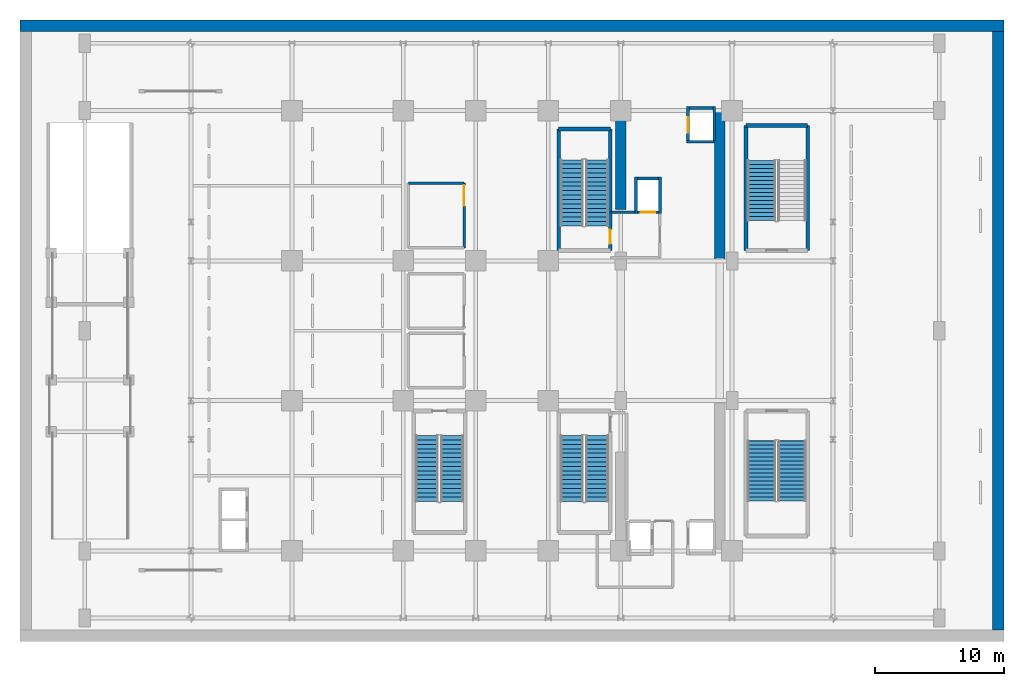
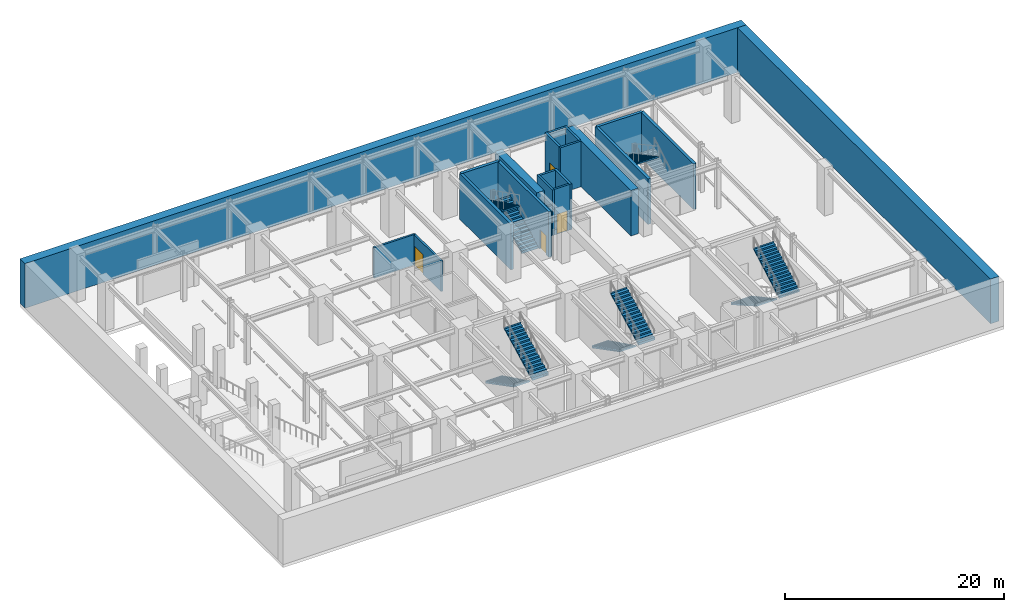
# One storey, part 7 of 10: 21 walls, 9 stair flights, 4 doors, 4 openings, 5 elements without a shape of their own.
"""IFC4 building model written with IfcOpenShell, lengths in metres."""

import ifcopenshell
import ifcopenshell.guid

model = None  # the IFC model being written
_history = None  # IfcOwnerHistory: only IFC2X3 demands one
_inside = {}  # id of a spatial element -> (the spatial element, [elements in it])
_under = {}  # id of a project, library or spatial element -> (it, [spatial elements below it])
_declared = {}  # id of a project -> (the project, [libraries it declares])
_typed = {}  # id of a type object -> (the type object, [elements of that type])
_made_of = {}  # id of a material, layer set ... -> (it, [elements and type objects made of it])


def new_model(schema):
    """Start an empty IFC model of exactly this schema.

    Asked for "IFC4X3", IfcOpenShell would pick the latest addendum, in which some entities
    have other attributes; the version numbers below select the first issue.
    IFC2X3 requires an IfcOwnerHistory on every rooted entity: one is made here for all.
    """
    global model, _history
    if schema == "IFC4X3":
        model = ifcopenshell.file(schema_version=(4, 3, 0, 0))
    else:
        model = ifcopenshell.file(schema=schema)
    _inside.clear()
    _under.clear()
    _declared.clear()
    _typed.clear()
    _made_of.clear()
    _history = None
    if model.schema == "IFC2X3":
        org = make("IfcOrganization", Name="unknown")
        user = make(
            "IfcPersonAndOrganization",
            ThePerson=make("IfcPerson", FamilyName="unknown"),
            TheOrganization=org,
        )
        app = make(
            "IfcApplication",
            ApplicationDeveloper=org,
            Version="unknown",
            ApplicationFullName="unknown",
            ApplicationIdentifier="unknown",
        )
        _history = make(
            "IfcOwnerHistory",
            OwningUser=user,
            OwningApplication=app,
            ChangeAction="ADDED",
            CreationDate=0,
        )
    return model


def make(cls, **values):
    """One entity of the class cls with the attributes given. An attribute that is None is left unset."""
    return model.create_entity(
        cls, **{name: value for name, value in values.items() if value is not None}
    )


def rooted(cls, **values):
    """An entity with a GlobalId (a new one), such as an element, a storey or a relation."""
    return make(cls, GlobalId=ifcopenshell.guid.new(), OwnerHistory=_history, **values)


def si_unit(unit_type, name, prefix=None):
    """IfcSIUnit, for example si_unit("LENGTHUNIT", "METRE", prefix="MILLI")."""
    return make("IfcSIUnit", UnitType=unit_type, Prefix=prefix, Name=name)


def assignment(units):
    """IfcUnitAssignment: the units of a project."""
    return None if units is None else make("IfcUnitAssignment", Units=units)


def point(xyz):
    """IfcCartesianPoint."""
    return None if xyz is None else make("IfcCartesianPoint", Coordinates=xyz)


def direction(xyz):
    """IfcDirection."""
    return None if xyz is None else make("IfcDirection", DirectionRatios=xyz)


def frame(location, z_axis=None, x_axis=None):
    """IfcAxis2Placement3D, a coordinate frame: its origin and axes. An axis left out is left unset."""
    return make(
        "IfcAxis2Placement3D",
        Location=point(location),
        Axis=direction(z_axis),
        RefDirection=direction(x_axis),
    )


def frame_2d(location, x_axis=None):
    """IfcAxis2Placement2D, a coordinate frame in the plane: its origin and x axis."""
    return make(
        "IfcAxis2Placement2D", Location=point(location), RefDirection=direction(x_axis)
    )


def origin():
    """The frame at (0, 0, 0) with its axes left unset."""
    return frame((0.0, 0.0, 0.0))


def place(relative_to, where):
    """IfcLocalPlacement: puts the frame where relative to a parent placement (None: the world)."""
    return make(
        "IfcLocalPlacement", PlacementRelTo=relative_to, RelativePlacement=where
    )


def context(
    kind, dimensions, precision=None, world=None, true_north=None, identifier=None
):
    """IfcGeometricRepresentationContext, for example the 3D "Model" context."""
    return make(
        "IfcGeometricRepresentationContext",
        ContextIdentifier=identifier,
        ContextType=kind,
        CoordinateSpaceDimension=dimensions,
        Precision=precision,
        WorldCoordinateSystem=world,
        TrueNorth=true_north,
    )


def subcontext(parent, identifier, kind, view, scale=None):
    """IfcGeometricRepresentationSubContext, for example "Body" below "Model"."""
    return make(
        "IfcGeometricRepresentationSubContext",
        ContextIdentifier=identifier,
        ContextType=kind,
        ParentContext=parent,
        TargetScale=scale,
        TargetView=view,
    )


def project(units=None, contexts=None):
    """IfcProject with its units and contexts."""
    return rooted(
        "IfcProject",
        Name="project",
        RepresentationContexts=contexts,
        UnitsInContext=assignment(units),
    )


def spatial(cls, under=None, at=None, **own):
    """A site, building, storey or space (cls), placed at a placement, below another one or the project."""
    s = rooted(cls, ObjectPlacement=at, **own)
    if under is not None:
        _under.setdefault(under.id(), (under, []))[1].append(s)
    return s


def polyline(points):
    """IfcPolyline through the points."""
    return make("IfcPolyline", Points=[point(p) for p in points])


def profile(cls, at=None, kind="AREA", **sizes):
    """A parametric profile (cls). Its sizes go by their IFC names, for example OverallWidth=200.0."""
    return make(cls, ProfileType=kind, Position=at, **sizes)


def rectangle(**sizes):
    """IfcRectangleProfileDef."""
    return profile("IfcRectangleProfileDef", **sizes)


def outline(outer, holes=None, kind="AREA"):
    """IfcArbitraryClosedProfileDef: a profile drawn as a closed curve; with holes, ...WithVoids."""
    if holes is None:
        return make("IfcArbitraryClosedProfileDef", ProfileType=kind, OuterCurve=outer)
    return make(
        "IfcArbitraryProfileDefWithVoids",
        ProfileType=kind,
        OuterCurve=outer,
        InnerCurves=holes,
    )


def extrude(swept, where, along, depth):
    """IfcExtrudedAreaSolid: the profile swept, set in the frame where, extruded along a direction by depth."""
    return make(
        "IfcExtrudedAreaSolid",
        SweptArea=swept,
        Position=where,
        ExtrudedDirection=direction(along),
        Depth=depth,
    )


def shape(context_of_items, identifier, shape_type, items):
    """IfcShapeRepresentation: the items that make up one representation, for example the "Body"."""
    return make(
        "IfcShapeRepresentation",
        ContextOfItems=context_of_items,
        RepresentationIdentifier=identifier,
        RepresentationType=shape_type,
        Items=items,
    )


def source(mapping_origin, context_of_items, identifier, shape_type, items):
    """IfcRepresentationMap: a shape defined once, which mapped items show again and again."""
    return make(
        "IfcRepresentationMap",
        MappingOrigin=mapping_origin,
        MappedRepresentation=shape(context_of_items, identifier, shape_type, items),
    )


def transform(
    local_origin,
    x_axis=None,
    y_axis=None,
    z_axis=None,
    scale=None,
    scale2=None,
    scale3=None,
    uniform=True,
):
    """IfcCartesianTransformationOperator3D, or its non-uniform kind. x_axis, y_axis, z_axis: its Axis1, 2, 3."""
    if uniform:
        return make(
            "IfcCartesianTransformationOperator3D",
            Axis1=direction(x_axis),
            Axis2=direction(y_axis),
            LocalOrigin=point(local_origin),
            Scale=scale,
            Axis3=direction(z_axis),
        )
    return make(
        "IfcCartesianTransformationOperator3DnonUniform",
        Axis1=direction(x_axis),
        Axis2=direction(y_axis),
        LocalOrigin=point(local_origin),
        Scale=scale,
        Axis3=direction(z_axis),
        Scale2=scale2,
        Scale3=scale3,
    )


def mapped(mapping_source, mapping_target):
    """IfcMappedItem: shows the shape of a source again, moved by a transform."""
    return make(
        "IfcMappedItem", MappingSource=mapping_source, MappingTarget=mapping_target
    )


def material(Name=None, Category=None):
    """IfcMaterial."""
    return make("IfcMaterial", Name=Name, Category=Category)


def layer(
    of_material, thickness, ventilated=None, Name=None, Category=None, Priority=None
):
    """IfcMaterialLayer: one layer of a wall or slab, of a material (None: an air gap)."""
    return make(
        "IfcMaterialLayer",
        Material=of_material,
        LayerThickness=thickness,
        IsVentilated=ventilated,
        Name=Name,
        Category=Category,
        Priority=Priority,
    )


def layer_set(layers, Name=None):
    """IfcMaterialLayerSet."""
    return make("IfcMaterialLayerSet", MaterialLayers=layers, LayerSetName=Name)


def made_of(thing, what):
    """Note that an element or type object is made of a material, layer set ...; save() writes the relation."""
    if what is not None:
        _made_of.setdefault(what.id(), (what, []))[1].append(thing)
    return thing


def type_object(cls, material=None, **own):
    """A type object (cls), such as IfcWallType, which elements share."""
    return made_of(rooted(cls, **own), material)


def element(
    cls,
    number,
    at=None,
    inside=None,
    cuts=None,
    type_object=None,
    material=None,
    context=None,
    identifier="Body",
    shape_type=None,
    held_by="IfcProductDefinitionShape",
    body=None,
    shapes=None,
    **own,
):
    """One element of the class cls, such as IfcWall. Its Tag is "e" and its number.

    at: its placement. inside: the storey or other place that contains it. cuts: it is an
    opening in that element (IfcRelVoidsElement). A single representation is given by context,
    identifier, shape_type and body (its items); several are given by shapes. held_by: the class
    of the entity that holds the representations. save() writes the other relations.
    """
    e = rooted(cls, Tag="e%d" % number, ObjectPlacement=at, **own)
    if body is not None:
        shapes = [shape(context, identifier, shape_type, body)]
    if shapes is not None:
        e.Representation = make(held_by, Representations=shapes)
    if inside is not None:
        _inside.setdefault(inside.id(), (inside, []))[1].append(e)
    if cuts is not None:
        rooted(
            "IfcRelVoidsElement", RelatingBuildingElement=cuts, RelatedOpeningElement=e
        )
    if type_object is not None:
        _typed.setdefault(type_object.id(), (type_object, []))[1].append(e)
    return made_of(e, material)


def fill(opening, filler):
    """IfcRelFillsElement: the door or window that sits in an opening."""
    return rooted(
        "IfcRelFillsElement",
        RelatingOpeningElement=opening,
        RelatedBuildingElement=filler,
    )


def aggregate(whole, parts):
    """IfcRelAggregates: a whole, such as a stair, and the parts it consists of."""
    return rooted("IfcRelAggregates", RelatingObject=whole, RelatedObjects=parts)


def save(model, path):
    """Write the relations noted so far, then the file.

    IfcRelAggregates (storeys below a building ...), IfcRelContainedInSpatialStructure (elements
    in a storey), IfcRelDefinesByType, IfcRelAssociatesMaterial and IfcRelDeclares: one each for
    every whole, place, type object, material and project.
    """
    for whole, parts in _under.values():
        aggregate(whole, parts)
    for where, things in _inside.values():
        rooted(
            "IfcRelContainedInSpatialStructure",
            RelatedElements=things,
            RelatingStructure=where,
        )
    for kind, things in _typed.values():
        rooted("IfcRelDefinesByType", RelatedObjects=things, RelatingType=kind)
    for what, things in _made_of.values():
        rooted("IfcRelAssociatesMaterial", RelatedObjects=things, RelatingMaterial=what)
    for by, libraries in _declared.values():
        rooted("IfcRelDeclares", RelatingContext=by, RelatedDefinitions=libraries)
    model.write(path)


model = new_model("IFC4")

# Units and contexts
model_context = context("Model", 3, precision=1e-05, world=origin(), true_north=direction((0.0, 1.0)))
body_context = subcontext(model_context, "Body", "Model", "MODEL_VIEW")
ifc_project = project(units=[si_unit("LENGTHUNIT", "METRE"), si_unit("AREAUNIT", "SQUARE_METRE"), si_unit("VOLUMEUNIT", "CUBIC_METRE"), si_unit("PLANEANGLEUNIT", "RADIAN"), si_unit("MASSUNIT", "GRAM", prefix="KILO")], contexts=[model_context])

# Site, building, storey
site_placement = place(None, origin())
site = spatial("IfcSite", under=ifc_project, at=site_placement, CompositionType="ELEMENT")
building_placement = place(site_placement, origin())
building = spatial("IfcBuilding", under=site, at=building_placement, Name="Nahalor Promenade Grand Hotel", CompositionType="ELEMENT")
storey_placement = place(building_placement, frame((0.0, 0.0, -5.39990234375)))
storey = spatial("IfcBuildingStorey", under=building, at=storey_placement, Name="B01", CompositionType="ELEMENT", Elevation=-5.39990234375)

# Walls
ifc_material_1 = material(Name="Concrete B-50 (C40/50)", Category="concrete")
ifc_layer_1 = layer(ifc_material_1, 0.89990234375)
ifc_layer_set_1 = layer_set([ifc_layer_1], Name="Concrete B-50 (C40/50)")
wall_type_1 = type_object("IfcWallType", Name="Wall-Diaphragm-900", PredefinedType="SHEAR", material=ifc_layer_set_1)
shared_shape_1 = source(origin(), body_context, "Body", "SweptSolid", [
    extrude(rectangle(XDim=76.0, YDim=0.89990234375, at=frame_2d((38.0, 0.0))), origin(), (0.0, 0.0, 1.0), 4.97998046875),
])
wall_1_placement = place(storey_placement, frame((-38.0, 23.550048828125, 0.0), z_axis=(0.0, 0.0, 1.0), x_axis=(1.0, 0.0, 0.0)))
element("IfcWall", 1, at=wall_1_placement, inside=storey, type_object=wall_type_1, Name="DW-B01-N", PredefinedType="SHEAR", context=body_context, shape_type="MappedRepresentation", body=[
    mapped(shared_shape_1, transform((0.0, 0.0, 0.0), scale=1.0)),
])
shared_shape_2 = source(origin(), body_context, "Body", "SweptSolid", [
    extrude(rectangle(XDim=46.2001953125, YDim=0.89990234375, at=frame_2d((23.10009765625, 0.0))), origin(), (0.0, 0.0, 1.0), 4.97998046875),
])
wall_2_placement = place(storey_placement, frame((37.550048828125, -23.10009765625, 0.0), z_axis=(0.0, 0.0, 1.0), x_axis=(0.0, 1.0, 0.0)))
element("IfcWall", 2, at=wall_2_placement, inside=storey, type_object=wall_type_1, Name="DW-B01-E", PredefinedType="SHEAR", context=body_context, shape_type="MappedRepresentation", body=[
    mapped(shared_shape_2, transform((0.0, 0.0, 0.0), scale=1.0)),
])
ifc_material_2 = material(Name="Concrete B-70 (C60/75)", Category="concrete")
ifc_layer_2 = layer(ifc_material_2, 0.800048828125)
ifc_layer_set_2 = layer_set([ifc_layer_2], Name="Concrete B-70 (C60/75)")
wall_type_2 = type_object("IfcWallType", Name="Wall-CoreShear-800", PredefinedType="SHEAR", material=ifc_layer_set_2)
shared_shape_3 = source(origin(), body_context, "Body", "SweptSolid", [
    extrude(rectangle(XDim=7.64990234375, YDim=0.800048828125, at=frame_2d((3.824951171875, 0.0))), origin(), (0.0, 0.0, 1.0), 5.079833984375),
])
wall_3_placement = place(storey_placement, frame((8.39990234375, 9.35009765625, 0.0), z_axis=(0.0, 0.0, 1.0), x_axis=(0.0, 1.0, 0.0)))
element("IfcWall", 3, at=wall_3_placement, inside=storey, type_object=wall_type_2, Name="CWALL-B01-NW", PredefinedType="SHEAR", context=body_context, shape_type="MappedRepresentation", body=[
    mapped(shared_shape_3, transform((0.0, 0.0, 0.0), scale=1.0)),
])
shared_shape_4 = source(origin(), body_context, "Body", "SweptSolid", [
    extrude(rectangle(XDim=11.60009765625, YDim=0.800048828125, at=frame_2d((5.800048828125, 0.0))), origin(), (0.0, 0.0, 1.0), 5.079833984375),
])
wall_4_placement = place(storey_placement, frame((16.050048828125, 5.39990234375, 0.0), z_axis=(0.0, 0.0, 1.0), x_axis=(0.0, 1.0, 0.0)))
element("IfcWall", 4, at=wall_4_placement, inside=storey, type_object=wall_type_2, Name="CWALL-B01-NE", PredefinedType="SHEAR", context=body_context, shape_type="MappedRepresentation", body=[
    mapped(shared_shape_4, transform((0.0, 0.0, 0.0), scale=1.0)),
])
ifc_layer_3 = layer(ifc_material_1, 0.300048828125)
ifc_layer_set_3 = layer_set([ifc_layer_3], Name="Concrete B-50 (C40/50)")
wall_type_3 = type_object("IfcWallType", Name="Wall-ShaftShear-300", PredefinedType="SHEAR", material=ifc_layer_set_3)
shared_shape_5 = source(origin(), body_context, "Body", "SweptSolid", [
    extrude(rectangle(XDim=3.97998046875, YDim=0.300048828125, at=frame_2d((1.989990234375, 0.0))), origin(), (0.0, 0.0, 1.0), 5.079833984375),
])
wall_5_placement = place(storey_placement, frame((3.610107421875, 15.590087890625, 0.0), z_axis=(0.0, 0.0, 1.0), x_axis=(1.0, 0.0, 0.0)))
element("IfcWall", 5, at=wall_5_placement, inside=storey, type_object=wall_type_3, Name="B01 Exit Stair ST1 Shaft Wall N", PredefinedType="SHEAR", context=body_context, shape_type="MappedRepresentation", body=[
    mapped(shared_shape_5, transform((0.0, 0.0, 0.0), scale=1.0)),
])
shared_shape_6 = source(origin(), body_context, "Body", "SweptSolid", [
    extrude(rectangle(XDim=9.380126953125, YDim=0.300048828125, at=frame_2d((4.68994140625, 0.0))), origin(), (0.0, 0.0, 1.0), 5.079833984375),
])
wall_6_placement = place(storey_placement, frame((3.610107421875, 6.2099609375, 0.0), z_axis=(0.0, 0.0, 1.0), x_axis=(0.0, 1.0, 0.0)))
element("IfcWall", 6, at=wall_6_placement, inside=storey, type_object=wall_type_3, Name="B01 Exit Stair ST1 Shaft Wall W", PredefinedType="SHEAR", context=body_context, shape_type="MappedRepresentation", body=[
    mapped(shared_shape_6, transform((0.0, 0.0, 0.0), scale=1.0)),
])

# Wall, opening, door
wall_7_placement = place(storey_placement, frame((7.590087890625, 6.2099609375, 0.0), z_axis=(0.0, 0.0, 1.0), x_axis=(0.0, 1.0, 0.0)))
wall_7 = element("IfcWall", 7, at=wall_7_placement, inside=storey, type_object=wall_type_3, Name="B01 Exit Stair ST1 Shaft Wall E", PredefinedType="SHEAR", context=body_context, shape_type="MappedRepresentation", body=[
    mapped(shared_shape_6, transform((0.0, 0.0, 0.0), scale=1.0)),
])
opening_1_placement = place(wall_7_placement, frame((0.489990234375, 0.0, 0.0)))
opening_1 = element("IfcOpeningElement", 8, at=opening_1_placement, cuts=wall_7, Name="Opening D-ST1", PredefinedType="OPENING", context=body_context, shape_type="SweptSolid", body=[
    extrude(rectangle(XDim=1.10009765625, YDim=2.14990234375, at=frame_2d((0.550048828125, 1.074951171875))), frame((0.0, 0.159912109375, 0.0), z_axis=(0.0, -1.0, 0.0), x_axis=(1.0, 0.0, 0.0)), (0.0, 0.0, 1.0), 0.320068359375),
])
ifc_material_3 = material(Name="Steel S355JR", Category="steel")
door_type_1 = type_object("IfcDoorType", Name="Door-StairFire-1100", OperationType="NOTDEFINED", PredefinedType="DOOR", material=ifc_material_3)
shared_shape_7 = source(origin(), body_context, "Body", "SweptSolid", [
    extrude(rectangle(XDim=1.10009765625, YDim=2.14990234375, at=frame_2d((0.550048828125, 1.074951171875))), frame((0.0, 0.02490234375, 0.0), z_axis=(0.0, -1.0, 0.0), x_axis=(1.0, 0.0, 0.0)), (0.0, 0.0, 1.0), 0.050048828125),
])
door_1_placement = place(opening_1_placement, origin())
door_1 = element("IfcDoor", 9, at=door_1_placement, inside=storey, type_object=door_type_1, Name="DR-STAIR-ST1-B01", OperationType="SINGLE_SWING_RIGHT", OverallHeight=2.14990234375, OverallWidth=1.10009765625, PredefinedType="DOOR", context=body_context, shape_type="MappedRepresentation", body=[
    mapped(shared_shape_7, transform((0.0, 0.0, 0.0), scale=1.0)),
])
fill(opening_1, door_1)

# Walls
shared_shape_8 = source(origin(), body_context, "Body", "SweptSolid", [
    extrude(rectangle(XDim=4.780029296875, YDim=0.300048828125, at=frame_2d((2.39013671875, 0.0))), origin(), (0.0, 0.0, 1.0), 5.079833984375),
])
wall_8_placement = place(storey_placement, frame((18.06005859375, 15.840087890625, 0.0), z_axis=(0.0, 0.0, 1.0), x_axis=(1.0, 0.0, 0.0)))
element("IfcWall", 10, at=wall_8_placement, inside=storey, type_object=wall_type_3, Name="B01 Exit Stair ST4 Shaft Wall N", PredefinedType="SHEAR", context=body_context, shape_type="MappedRepresentation", body=[
    mapped(shared_shape_8, transform((0.0, 0.0, 0.0), scale=1.0)),
])
shared_shape_9 = source(origin(), body_context, "Body", "SweptSolid", [
    extrude(rectangle(XDim=9.630126953125, YDim=0.300048828125, at=frame_2d((4.81494140625, 0.0))), origin(), (0.0, 0.0, 1.0), 5.079833984375),
])
for number, where, z_axis, x_axis, name in (
    (11, (18.06005859375, 6.2099609375, 0.0), (0.0, 0.0, 1.0), (0.0, 1.0, 0.0), "B01 Exit Stair ST4 Shaft Wall W"),
    (12, (22.840087890625, 6.2099609375, 0.0), (0.0, 0.0, 1.0), (0.0, 1.0, 0.0), "B01 Exit Stair ST4 Shaft Wall E"),
):
    element("IfcWall", number, at=place(storey_placement, frame(where, z_axis=z_axis, x_axis=x_axis)), inside=storey, type_object=wall_type_3, Name=name, PredefinedType="SHEAR", context=body_context, shape_type="MappedRepresentation", body=[
        mapped(shared_shape_9, transform((0.0, 0.0, 0.0), scale=1.0)),
    ])
ifc_layer_4 = layer(ifc_material_1, 0.219970703125)
ifc_layer_set_4 = layer_set([ifc_layer_4], Name="Concrete B-50 (C40/50)")
wall_type_4 = type_object("IfcWallType", Name="Wall-LiftShaft-220", PredefinedType="SHEAR", material=ifc_layer_set_4)
shared_shape_10 = source(origin(), body_context, "Body", "SweptSolid", [
    extrude(rectangle(XDim=2.820068359375, YDim=0.219970703125, at=frame_2d((1.41015625, 0.0))), origin(), (0.0, 0.0, 1.0), 5.079833984375),
])
for number, where, z_axis, x_axis, name in (
    (13, (9.580078125, 9.0400390625, 0.0), (0.0, 0.0, 1.0), (0.0, 1.0, 0.0), "B01 Lift FL1 Hoistway Wall W"),
    (14, (11.419921875, 9.0400390625, 0.0), (0.0, 0.0, 1.0), (0.0, 1.0, 0.0), "B01 Lift FL1 Hoistway Wall E"),
):
    element("IfcWall", number, at=place(storey_placement, frame(where, z_axis=z_axis, x_axis=x_axis)), inside=storey, type_object=wall_type_4, Name=name, PredefinedType="SHEAR", context=body_context, shape_type="MappedRepresentation", body=[
        mapped(shared_shape_10, transform((0.0, 0.0, 0.0), scale=1.0)),
    ])

# Wall, opening, door
shared_shape_11 = source(origin(), body_context, "Body", "SweptSolid", [
    extrude(rectangle(XDim=1.6201171875, YDim=0.219970703125, at=frame_2d((0.81005859375, 0.0))), origin(), (0.0, 0.0, 1.0), 5.079833984375),
])
wall_9_placement = place(storey_placement, frame((9.68994140625, 9.14990234375, 0.0), z_axis=(0.0, 0.0, 1.0), x_axis=(1.0, 0.0, 0.0)))
wall_9 = element("IfcWall", 15, at=wall_9_placement, inside=storey, type_object=wall_type_4, Name="B01 Lift FL1 Hoistway Wall S", PredefinedType="SHEAR", context=body_context, shape_type="MappedRepresentation", body=[
    mapped(shared_shape_11, transform((0.0, 0.0, 0.0), scale=1.0)),
])
opening_2_placement = place(wall_9_placement, frame((0.260009765625, 0.0, 0.0)))
opening_2 = element("IfcOpeningElement", 16, at=opening_2_placement, cuts=wall_9, Name="Opening LD-02", PredefinedType="OPENING", context=body_context, shape_type="SweptSolid", body=[
    extrude(rectangle(XDim=1.10009765625, YDim=2.199951171875, at=frame_2d((0.550048828125, 1.10009765625))), frame((0.0, 0.119873046875, 0.0), z_axis=(0.0, -1.0, 0.0), x_axis=(1.0, 0.0, 0.0)), (0.0, 0.0, 1.0), 0.239990234375),
])
door_type_2 = type_object("IfcDoorType", Name="Door-LiftFF-1100", OperationType="DOUBLE_DOOR_SLIDING", PredefinedType="DOOR", material=ifc_material_3)
shared_shape_12 = source(origin(), body_context, "Body", "SweptSolid", [
    extrude(rectangle(XDim=1.10009765625, YDim=2.199951171875, at=frame_2d((0.550048828125, 1.10009765625))), frame((0.0, 0.02490234375, 0.0), z_axis=(0.0, -1.0, 0.0), x_axis=(1.0, 0.0, 0.0)), (0.0, 0.0, 1.0), 0.050048828125),
])
door_2_placement = place(opening_2_placement, frame((1.10009765625, 0.0, 0.0), z_axis=(0.0, 0.0, 1.0), x_axis=(-1.0, 0.0, 0.0)))
door_2 = element("IfcDoor", 17, at=door_2_placement, inside=storey, type_object=door_type_2, Name="DR-LIFT-FL1-B01", OperationType="DOUBLE_DOOR_SLIDING", OverallHeight=2.199951171875, OverallWidth=1.10009765625, PredefinedType="DOOR", context=body_context, shape_type="MappedRepresentation", body=[
    mapped(shared_shape_12, transform((0.0, 0.0, 0.0), scale=1.0)),
])
fill(opening_2, door_2)

# Wall
wall_10_placement = place(storey_placement, frame((9.68994140625, 11.75, 0.0), z_axis=(0.0, 0.0, 1.0), x_axis=(1.0, 0.0, 0.0)))
element("IfcWall", 18, at=wall_10_placement, inside=storey, type_object=wall_type_4, Name="B01 Lift FL1 Hoistway Wall N", PredefinedType="SHEAR", context=body_context, shape_type="MappedRepresentation", body=[
    mapped(shared_shape_11, transform((0.0, 0.0, 0.0), scale=1.0)),
])

# Wall, opening, door
shared_shape_13 = source(origin(), body_context, "Body", "SweptSolid", [
    extrude(rectangle(XDim=2.60009765625, YDim=0.219970703125, at=frame_2d((1.300048828125, 0.0))), origin(), (0.0, 0.0, 1.0), 5.079833984375),
])
wall_11_placement = place(storey_placement, frame((13.580078125, 14.7099609375, 0.0), z_axis=(0.0, 0.0, 1.0), x_axis=(0.0, 1.0, 0.0)))
wall_11 = element("IfcWall", 19, at=wall_11_placement, inside=storey, type_object=wall_type_4, Name="B01 Lift SV1 Hoistway Wall W", PredefinedType="SHEAR", context=body_context, shape_type="MappedRepresentation", body=[
    mapped(shared_shape_13, transform((0.0, 0.0, 0.0), scale=1.0)),
])
opening_3_placement = place(wall_11_placement, frame((0.590087890625, 0.0, 0.0)))
opening_3 = element("IfcOpeningElement", 20, at=opening_3_placement, cuts=wall_11, Name="Opening LD-03", PredefinedType="OPENING", context=body_context, shape_type="SweptSolid", body=[
    extrude(rectangle(XDim=1.199951171875, YDim=2.199951171875, at=frame_2d((0.60009765625, 1.10009765625))), frame((0.0, 0.119873046875, 0.0), z_axis=(0.0, -1.0, 0.0), x_axis=(1.0, 0.0, 0.0)), (0.0, 0.0, 1.0), 0.239990234375),
])
door_type_3 = type_object("IfcDoorType", Name="Door-LiftService-1200", OperationType="DOUBLE_DOOR_SLIDING", PredefinedType="DOOR", material=ifc_material_3)
shared_shape_14 = source(origin(), body_context, "Body", "SweptSolid", [
    extrude(rectangle(XDim=1.199951171875, YDim=2.199951171875, at=frame_2d((0.60009765625, 1.10009765625))), frame((0.0, 0.02490234375, 0.0), z_axis=(0.0, -1.0, 0.0), x_axis=(1.0, 0.0, 0.0)), (0.0, 0.0, 1.0), 0.050048828125),
])
door_3_placement = place(opening_3_placement, origin())
door_3 = element("IfcDoor", 21, at=door_3_placement, inside=storey, type_object=door_type_3, Name="DR-LIFT-SV1-B01", OperationType="DOUBLE_DOOR_SLIDING", OverallHeight=2.199951171875, OverallWidth=1.199951171875, PredefinedType="DOOR", context=body_context, shape_type="MappedRepresentation", body=[
    mapped(shared_shape_14, transform((0.0, 0.0, 0.0), scale=1.0)),
])
fill(opening_3, door_3)

# Walls
wall_12_placement = place(storey_placement, frame((15.6201171875, 14.7099609375, 0.0), z_axis=(0.0, 0.0, 1.0), x_axis=(0.0, 1.0, 0.0)))
element("IfcWall", 22, at=wall_12_placement, inside=storey, type_object=wall_type_4, Name="B01 Lift SV1 Hoistway Wall E", PredefinedType="SHEAR", context=body_context, shape_type="MappedRepresentation", body=[
    mapped(shared_shape_13, transform((0.0, 0.0, 0.0), scale=1.0)),
])
shared_shape_15 = source(origin(), body_context, "Body", "SweptSolid", [
    extrude(rectangle(XDim=2.179931640625, YDim=0.219970703125, at=frame_2d((1.08984375, 0.0))), origin(), (0.0, 0.0, 1.0), 5.079833984375),
])
wall_13_placement = place(storey_placement, frame((13.469970703125, 14.60009765625, 0.0), z_axis=(0.0, 0.0, 1.0), x_axis=(1.0, 0.0, 0.0)))
element("IfcWall", 23, at=wall_13_placement, inside=storey, type_object=wall_type_4, Name="B01 Lift SV1 Hoistway Wall S", PredefinedType="SHEAR", context=body_context, shape_type="MappedRepresentation", body=[
    mapped(shared_shape_15, transform((0.0, 0.0, 0.0), scale=1.0)),
])
shared_shape_16 = source(origin(), body_context, "Body", "SweptSolid", [
    extrude(rectangle(XDim=1.820068359375, YDim=0.219970703125, at=frame_2d((0.91015625, 0.0))), origin(), (0.0, 0.0, 1.0), 5.079833984375),
])
wall_14_placement = place(storey_placement, frame((13.68994140625, 17.199951171875, 0.0), z_axis=(0.0, 0.0, 1.0), x_axis=(1.0, 0.0, 0.0)))
element("IfcWall", 24, at=wall_14_placement, inside=storey, type_object=wall_type_4, Name="B01 Lift SV1 Hoistway Wall N", PredefinedType="SHEAR", context=body_context, shape_type="MappedRepresentation", body=[
    mapped(shared_shape_16, transform((0.0, 0.0, 0.0), scale=1.0)),
])
ifc_material_4 = material(Name="Concrete B-40 (C32/40)", Category="concrete")
ifc_layer_5 = layer(ifc_material_4, 0.199951171875)
ifc_layer_set_5 = layer_set([ifc_layer_5], Name="Concrete B-40 (C32/40)")
wall_type_5 = type_object("IfcWallType", Name="Wall-PartFire-200", PredefinedType="PARTITIONING", material=ifc_layer_set_5)
shared_shape_17 = source(origin(), body_context, "Body", "SweptSolid", [
    extrude(rectangle(XDim=1.89990234375, YDim=0.199951171875, at=frame_2d((0.949951171875, 0.0))), origin(), (0.0, 0.0, 1.0), 3.39990234375),
])
wall_15_placement = place(storey_placement, frame((7.60009765625, 9.14990234375, 0.0), z_axis=(0.0, 0.0, 1.0), x_axis=(1.0, 0.0, 0.0)))
element("IfcWall", 25, at=wall_15_placement, inside=storey, type_object=wall_type_5, Name="W-B01-FF1-N", PredefinedType="PARTITIONING", context=body_context, shape_type="MappedRepresentation", body=[
    mapped(shared_shape_17, transform((0.0, 0.0, 0.0), scale=1.0)),
])
shared_shape_18 = source(origin(), body_context, "Body", "SweptSolid", [
    extrude(rectangle(XDim=4.300048828125, YDim=0.199951171875, at=frame_2d((2.14990234375, 0.0))), origin(), (0.0, 0.0, 1.0), 3.39990234375),
])
wall_16_placement = place(storey_placement, frame((-8.0, 11.39990234375, 0.0), z_axis=(0.0, 0.0, 1.0), x_axis=(1.0, 0.0, 0.0)))
element("IfcWall", 26, at=wall_16_placement, inside=storey, type_object=wall_type_5, Name="W-B01-BPL3-N", PredefinedType="PARTITIONING", context=body_context, shape_type="MappedRepresentation", body=[
    mapped(shared_shape_18, transform((0.0, 0.0, 0.0), scale=1.0)),
])

# Wall, opening, door
shared_shape_19 = source(origin(), body_context, "Body", "SweptSolid", [
    extrude(rectangle(XDim=5.0, YDim=0.199951171875, at=frame_2d((2.5, 0.0))), origin(), (0.0, 0.0, 1.0), 3.39990234375),
])
wall_17_placement = place(storey_placement, frame((-3.699951171875, 6.39990234375, 0.0), z_axis=(0.0, 0.0, 1.0), x_axis=(0.0, 1.0, 0.0)))
wall_17 = element("IfcWall", 27, at=wall_17_placement, inside=storey, type_object=wall_type_5, Name="W-B01-BPL3-E", PredefinedType="PARTITIONING", context=body_context, shape_type="MappedRepresentation", body=[
    mapped(shared_shape_19, transform((0.0, 0.0, 0.0), scale=1.0)),
])
opening_4_placement = place(wall_17_placement, frame((3.242919921875, 0.0, 0.0)))
opening_4 = element("IfcOpeningElement", 28, at=opening_4_placement, cuts=wall_17, Name="Opening D-06", PredefinedType="OPENING", context=body_context, shape_type="SweptSolid", body=[
    extrude(rectangle(XDim=1.60009765625, YDim=2.14990234375, at=frame_2d((0.800048828125, 1.074951171875))), frame((0.0, 0.10986328125, 0.0), z_axis=(0.0, -1.0, 0.0), x_axis=(1.0, 0.0, 0.0)), (0.0, 0.0, 1.0), 0.219970703125),
])
door_type_4 = type_object("IfcDoorType", Name="Door-PlantDouble-1600", OperationType="DOUBLE_DOOR_SINGLE_SWING", PredefinedType="DOOR", material=ifc_material_3)
shared_shape_20 = source(origin(), body_context, "Body", "SweptSolid", [
    extrude(rectangle(XDim=1.60009765625, YDim=2.14990234375, at=frame_2d((0.800048828125, 1.074951171875))), frame((0.0, 0.02490234375, 0.0), z_axis=(0.0, -1.0, 0.0), x_axis=(1.0, 0.0, 0.0)), (0.0, 0.0, 1.0), 0.050048828125),
])
door_4_placement = place(opening_4_placement, origin())
door_4 = element("IfcDoor", 29, at=door_4_placement, inside=storey, type_object=door_type_4, Name="DR-B01-BPL3", OperationType="DOUBLE_DOOR_SINGLE_SWING", OverallHeight=2.14990234375, OverallWidth=1.60009765625, PredefinedType="DOOR", context=body_context, shape_type="MappedRepresentation", body=[
    mapped(shared_shape_20, transform((0.0, 0.0, 0.0), scale=1.0)),
])
fill(opening_4, door_4)

# Stair, stair flights
stair_type_1 = type_object("IfcStairType", Name="Stair-ST1", PredefinedType="HALF_TURN_STAIR", material=ifc_material_1)
stair_1_placement = place(storey_placement, origin())
stair_1 = element("IfcStair", 30, at=stair_1_placement, inside=storey, type_object=stair_type_1, Name="B01 ST1", PredefinedType="HALF_TURN_STAIR")
ifc_layer_6 = layer(ifc_material_1, 0.179931640625)
ifc_layer_set_6 = layer_set([ifc_layer_6], Name="Concrete B-50 (C40/50)")
stair_flight_type_1 = type_object("IfcStairFlightType", Name="Flight-ST1", PredefinedType="STRAIGHT", material=ifc_layer_set_6)
shared_shape_21 = source(origin(), body_context, "Body", "SweptSolid", [
    extrude(outline(polyline([(-0.00390625, -0.1201171875), (-0.00390625, 0.0), (0.0, 0.0), (0.0, 0.168701171875), (0.340087890625, 0.168701171875), (0.340087890625, 0.33740234375), (0.679931640625, 0.33740234375), (0.679931640625, 0.50634765625), (1.02001953125, 0.50634765625), (1.02001953125, 0.675048828125), (1.360107421875, 0.675048828125), (1.360107421875, 0.84375), (1.699951171875, 0.84375), (1.699951171875, 1.012451171875), (2.0400390625, 1.012451171875), (2.0400390625, 1.18115234375), (2.3798828125, 1.18115234375), (2.3798828125, 1.35009765625), (2.719970703125, 1.35009765625), (2.719970703125, 1.518798828125), (3.06005859375, 1.518798828125), (3.06005859375, 1.6875), (3.39990234375, 1.6875), (3.39990234375, 1.856201171875), (3.739990234375, 1.856201171875), (3.739990234375, 2.02490234375), (4.080078125, 2.02490234375), (4.080078125, 2.19384765625), (4.419921875, 2.19384765625), (4.419921875, 2.362548828125), (4.760009765625, 2.362548828125), (4.760009765625, 2.53125), (5.10009765625, 2.53125), (5.10009765625, 2.699951171875), (5.10400390625, 2.699951171875), (5.10400390625, 2.52001953125), (0.02001953125, -0.1201171875), (-0.00390625, -0.1201171875)])), frame((0.0, 0.875, 0.0), z_axis=(0.0, -1.0, 0.0), x_axis=(1.0, 0.0, 0.0)), (0.0, 0.0, 1.0), 1.75),
])
stair_flight_1_placement = place(storey_placement, frame((6.574951171875, 8.10009765625, 0.0), z_axis=(0.0, 0.0, 1.0), x_axis=(0.0, 1.0, 0.0)))
stair_flight_1 = element("IfcStairFlight", 31, at=stair_flight_1_placement, type_object=stair_flight_type_1, Name="ST1 flight 1", NumberOfRisers=16, NumberOfTreads=15, PredefinedType="STRAIGHT", RiserHeight=0.16875, TreadLength=0.34, context=body_context, shape_type="MappedRepresentation", body=[
    mapped(shared_shape_21, transform((0.0, 0.0, 0.0), scale=1.0)),
])
stair_flight_2_placement = place(storey_placement, frame((4.625, 13.199951171875, 2.699951171875), z_axis=(0.0, 0.0, 1.0), x_axis=(0.0, -1.0, 0.0)))
stair_flight_2 = element("IfcStairFlight", 32, at=stair_flight_2_placement, type_object=stair_flight_type_1, Name="ST1 flight 2", NumberOfRisers=16, NumberOfTreads=15, PredefinedType="STRAIGHT", RiserHeight=0.16875, TreadLength=0.34, context=body_context, shape_type="MappedRepresentation", body=[
    mapped(shared_shape_21, transform((0.0, 0.0, 0.0), scale=1.0)),
])
aggregate(stair_1, [stair_flight_1, stair_flight_2])

stair_type_2 = type_object("IfcStairType", Name="Stair-ST2", PredefinedType="HALF_TURN_STAIR", material=ifc_material_1)
stair_2_placement = place(storey_placement, origin())
stair_2 = element("IfcStair", 33, at=stair_2_placement, inside=storey, type_object=stair_type_2, Name="B01 ST2", PredefinedType="HALF_TURN_STAIR")
ifc_layer_7 = layer(ifc_material_1, 0.18994140625)
ifc_layer_set_7 = layer_set([ifc_layer_7], Name="Concrete B-50 (C40/50)")
stair_flight_type_2 = type_object("IfcStairFlightType", Name="Flight-ST2", PredefinedType="STRAIGHT", material=ifc_layer_set_7)
shared_shape_22 = source(origin(), body_context, "Body", "SweptSolid", [
    extrude(outline(polyline([(-0.00390625, -0.1201171875), (-0.00390625, 0.0), (0.0, 0.0), (0.0, 0.168701171875), (0.340087890625, 0.168701171875), (0.340087890625, 0.33740234375), (0.679931640625, 0.33740234375), (0.679931640625, 0.50634765625), (1.02001953125, 0.50634765625), (1.02001953125, 0.675048828125), (1.360107421875, 0.675048828125), (1.360107421875, 0.84375), (1.699951171875, 0.84375), (1.699951171875, 1.012451171875), (2.0400390625, 1.012451171875), (2.0400390625, 1.18115234375), (2.3798828125, 1.18115234375), (2.3798828125, 1.35009765625), (2.719970703125, 1.35009765625), (2.719970703125, 1.518798828125), (3.06005859375, 1.518798828125), (3.06005859375, 1.6875), (3.39990234375, 1.6875), (3.39990234375, 1.856201171875), (3.739990234375, 1.856201171875), (3.739990234375, 2.02490234375), (4.080078125, 2.02490234375), (4.080078125, 2.19384765625), (4.419921875, 2.19384765625), (4.419921875, 2.362548828125), (4.760009765625, 2.362548828125), (4.760009765625, 2.53125), (5.10009765625, 2.53125), (5.10009765625, 2.699951171875), (5.10400390625, 2.699951171875), (5.10400390625, 2.52001953125), (0.02001953125, -0.1201171875), (-0.00390625, -0.1201171875)])), frame((0.0, 0.875, 0.0), z_axis=(0.0, -1.0, 0.0), x_axis=(1.0, 0.0, 0.0)), (0.0, 0.0, 1.0), 1.75),
])
stair_flight_3_placement = place(storey_placement, frame((4.625, -8.10009765625, 0.0), z_axis=(0.0, 0.0, 1.0), x_axis=(0.0, -1.0, 0.0)))
stair_flight_3 = element("IfcStairFlight", 34, at=stair_flight_3_placement, type_object=stair_flight_type_2, Name="ST2 flight 1", NumberOfRisers=16, NumberOfTreads=15, PredefinedType="STRAIGHT", RiserHeight=0.16875, TreadLength=0.34, context=body_context, shape_type="MappedRepresentation", body=[
    mapped(shared_shape_22, transform((0.0, 0.0, 0.0), scale=1.0)),
])
stair_flight_4_placement = place(storey_placement, frame((6.574951171875, -13.199951171875, 2.699951171875), z_axis=(0.0, 0.0, 1.0), x_axis=(0.0, 1.0, 0.0)))
stair_flight_4 = element("IfcStairFlight", 35, at=stair_flight_4_placement, type_object=stair_flight_type_2, Name="ST2 flight 2", NumberOfRisers=16, NumberOfTreads=15, PredefinedType="STRAIGHT", RiserHeight=0.16875, TreadLength=0.34, context=body_context, shape_type="MappedRepresentation", body=[
    mapped(shared_shape_22, transform((0.0, 0.0, 0.0), scale=1.0)),
])
aggregate(stair_2, [stair_flight_3, stair_flight_4])

stair_type_3 = type_object("IfcStairType", Name="Stair-ST3", PredefinedType="HALF_TURN_STAIR", material=ifc_material_1)
stair_3_placement = place(storey_placement, origin())
stair_3 = element("IfcStair", 36, at=stair_3_placement, inside=storey, type_object=stair_type_3, Name="B01 ST3", PredefinedType="HALF_TURN_STAIR")
ifc_layer_8 = layer(ifc_material_1, 0.199951171875)
ifc_layer_set_8 = layer_set([ifc_layer_8], Name="Concrete B-50 (C40/50)")
stair_flight_type_3 = type_object("IfcStairFlightType", Name="Flight-ST3", PredefinedType="STRAIGHT", material=ifc_layer_set_8)
shared_shape_23 = source(origin(), body_context, "Body", "SweptSolid", [
    extrude(outline(polyline([(-0.00390625, -0.1201171875), (-0.00390625, 0.0), (0.0, 0.0), (0.0, 0.168701171875), (0.340087890625, 0.168701171875), (0.340087890625, 0.33740234375), (0.679931640625, 0.33740234375), (0.679931640625, 0.50634765625), (1.02001953125, 0.50634765625), (1.02001953125, 0.675048828125), (1.360107421875, 0.675048828125), (1.360107421875, 0.84375), (1.699951171875, 0.84375), (1.699951171875, 1.012451171875), (2.0400390625, 1.012451171875), (2.0400390625, 1.18115234375), (2.3798828125, 1.18115234375), (2.3798828125, 1.35009765625), (2.719970703125, 1.35009765625), (2.719970703125, 1.518798828125), (3.06005859375, 1.518798828125), (3.06005859375, 1.6875), (3.39990234375, 1.6875), (3.39990234375, 1.856201171875), (3.739990234375, 1.856201171875), (3.739990234375, 2.02490234375), (4.080078125, 2.02490234375), (4.080078125, 2.19384765625), (4.419921875, 2.19384765625), (4.419921875, 2.362548828125), (4.760009765625, 2.362548828125), (4.760009765625, 2.53125), (5.10009765625, 2.53125), (5.10009765625, 2.699951171875), (5.10400390625, 2.699951171875), (5.10400390625, 2.52001953125), (0.02001953125, -0.1201171875), (-0.00390625, -0.1201171875)])), frame((0.0, 0.875, 0.0), z_axis=(0.0, -1.0, 0.0), x_axis=(1.0, 0.0, 0.0)), (0.0, 0.0, 1.0), 1.75),
])
stair_flight_5_placement = place(storey_placement, frame((-6.574951171875, -8.10009765625, 0.0), z_axis=(0.0, 0.0, 1.0), x_axis=(0.0, -1.0, 0.0)))
stair_flight_5 = element("IfcStairFlight", 37, at=stair_flight_5_placement, type_object=stair_flight_type_3, Name="ST3 flight 1", NumberOfRisers=16, NumberOfTreads=15, PredefinedType="STRAIGHT", RiserHeight=0.16875, TreadLength=0.34, context=body_context, shape_type="MappedRepresentation", body=[
    mapped(shared_shape_23, transform((0.0, 0.0, 0.0), scale=1.0)),
])
stair_flight_6_placement = place(storey_placement, frame((-4.625, -13.199951171875, 2.699951171875), z_axis=(0.0, 0.0, 1.0), x_axis=(0.0, 1.0, 0.0)))
stair_flight_6 = element("IfcStairFlight", 38, at=stair_flight_6_placement, type_object=stair_flight_type_3, Name="ST3 flight 2", NumberOfRisers=16, NumberOfTreads=15, PredefinedType="STRAIGHT", RiserHeight=0.16875, TreadLength=0.34, context=body_context, shape_type="MappedRepresentation", body=[
    mapped(shared_shape_23, transform((0.0, 0.0, 0.0), scale=1.0)),
])
aggregate(stair_3, [stair_flight_5, stair_flight_6])

# Stair, stair flight
stair_type_4 = type_object("IfcStairType", Name="Stair-ST4", PredefinedType="HALF_TURN_STAIR", material=ifc_material_1)
stair_4_placement = place(storey_placement, origin())
stair_4 = element("IfcStair", 39, at=stair_4_placement, inside=storey, type_object=stair_type_4, Name="B01 ST4", PredefinedType="HALF_TURN_STAIR")
ifc_layer_9 = layer(ifc_material_1, 0.2099609375)
ifc_layer_set_9 = layer_set([ifc_layer_9], Name="Concrete B-50 (C40/50)")
stair_flight_type_4 = type_object("IfcStairFlightType", Name="Flight-ST4", PredefinedType="STRAIGHT", material=ifc_layer_set_9)
shared_shape_24 = source(origin(), body_context, "Body", "SweptSolid", [
    extrude(outline(polyline([(-0.00390625, -0.1201171875), (-0.00390625, 0.0), (0.0, 0.0), (0.0, 0.168701171875), (0.31005859375, 0.168701171875), (0.31005859375, 0.33740234375), (0.6201171875, 0.33740234375), (0.6201171875, 0.50634765625), (0.929931640625, 0.50634765625), (0.929931640625, 0.675048828125), (1.239990234375, 0.675048828125), (1.239990234375, 0.84375), (1.550048828125, 0.84375), (1.550048828125, 1.012451171875), (1.860107421875, 1.012451171875), (1.860107421875, 1.18115234375), (2.169921875, 1.18115234375), (2.169921875, 1.35009765625), (2.47998046875, 1.35009765625), (2.47998046875, 1.518798828125), (2.7900390625, 1.518798828125), (2.7900390625, 1.6875), (3.10009765625, 1.6875), (3.10009765625, 1.856201171875), (3.409912109375, 1.856201171875), (3.409912109375, 2.02490234375), (3.719970703125, 2.02490234375), (3.719970703125, 2.19384765625), (4.030029296875, 2.19384765625), (4.030029296875, 2.362548828125), (4.340087890625, 2.362548828125), (4.340087890625, 2.53125), (4.64990234375, 2.53125), (4.64990234375, 2.699951171875), (4.654052734375, 2.699951171875), (4.654052734375, 2.52001953125), (0.02001953125, -0.1201171875), (-0.00390625, -0.1201171875)])), frame((0.0, 1.074951171875, 0.0), z_axis=(0.0, -1.0, 0.0), x_axis=(1.0, 0.0, 0.0)), (0.0, 0.0, 1.0), 2.14990234375),
])
stair_flight_7_placement = place(storey_placement, frame((19.27490234375, 13.14990234375, 2.699951171875), z_axis=(0.0, 0.0, 1.0), x_axis=(0.0, -1.0, 0.0)))
stair_flight_7 = element("IfcStairFlight", 40, at=stair_flight_7_placement, type_object=stair_flight_type_4, Name="ST4 flight 2", NumberOfRisers=16, NumberOfTreads=15, PredefinedType="STRAIGHT", RiserHeight=0.16875, TreadLength=0.31, context=body_context, shape_type="MappedRepresentation", body=[
    mapped(shared_shape_24, transform((0.0, 0.0, 0.0), scale=1.0)),
])
aggregate(stair_4, [stair_flight_7])

# Stair, stair flights
stair_type_5 = type_object("IfcStairType", Name="Stair-ST5", PredefinedType="HALF_TURN_STAIR", material=ifc_material_1)
stair_5_placement = place(storey_placement, origin())
stair_5 = element("IfcStair", 41, at=stair_5_placement, inside=storey, type_object=stair_type_5, Name="B01 ST5", PredefinedType="HALF_TURN_STAIR")
ifc_layer_10 = layer(ifc_material_1, 0.219970703125)
ifc_layer_set_10 = layer_set([ifc_layer_10], Name="Concrete B-50 (C40/50)")
stair_flight_type_5 = type_object("IfcStairFlightType", Name="Flight-ST5", PredefinedType="STRAIGHT", material=ifc_layer_set_10)
shared_shape_25 = source(origin(), body_context, "Body", "SweptSolid", [
    extrude(outline(polyline([(-0.00390625, -0.1201171875), (-0.00390625, 0.0), (0.0, 0.0), (0.0, 0.168701171875), (0.31005859375, 0.168701171875), (0.31005859375, 0.33740234375), (0.6201171875, 0.33740234375), (0.6201171875, 0.50634765625), (0.929931640625, 0.50634765625), (0.929931640625, 0.675048828125), (1.239990234375, 0.675048828125), (1.239990234375, 0.84375), (1.550048828125, 0.84375), (1.550048828125, 1.012451171875), (1.860107421875, 1.012451171875), (1.860107421875, 1.18115234375), (2.169921875, 1.18115234375), (2.169921875, 1.35009765625), (2.47998046875, 1.35009765625), (2.47998046875, 1.518798828125), (2.7900390625, 1.518798828125), (2.7900390625, 1.6875), (3.10009765625, 1.6875), (3.10009765625, 1.856201171875), (3.409912109375, 1.856201171875), (3.409912109375, 2.02490234375), (3.719970703125, 2.02490234375), (3.719970703125, 2.19384765625), (4.030029296875, 2.19384765625), (4.030029296875, 2.362548828125), (4.340087890625, 2.362548828125), (4.340087890625, 2.53125), (4.64990234375, 2.53125), (4.64990234375, 2.699951171875), (4.654052734375, 2.699951171875), (4.654052734375, 2.52001953125), (0.02001953125, -0.1201171875), (-0.00390625, -0.1201171875)])), frame((0.0, 1.074951171875, 0.0), z_axis=(0.0, -1.0, 0.0), x_axis=(1.0, 0.0, 0.0)), (0.0, 0.0, 1.0), 2.14990234375),
])
stair_flight_8_placement = place(storey_placement, frame((19.27490234375, -8.5, 0.0), z_axis=(0.0, 0.0, 1.0), x_axis=(0.0, -1.0, 0.0)))
stair_flight_8 = element("IfcStairFlight", 42, at=stair_flight_8_placement, type_object=stair_flight_type_5, Name="ST5 flight 1", NumberOfRisers=16, NumberOfTreads=15, PredefinedType="STRAIGHT", RiserHeight=0.16875, TreadLength=0.31, context=body_context, shape_type="MappedRepresentation", body=[
    mapped(shared_shape_25, transform((0.0, 0.0, 0.0), scale=1.0)),
])
stair_flight_9_placement = place(storey_placement, frame((21.625, -13.14990234375, 2.699951171875), z_axis=(0.0, 0.0, 1.0), x_axis=(0.0, 1.0, 0.0)))
stair_flight_9 = element("IfcStairFlight", 43, at=stair_flight_9_placement, type_object=stair_flight_type_5, Name="ST5 flight 2", NumberOfRisers=16, NumberOfTreads=15, PredefinedType="STRAIGHT", RiserHeight=0.16875, TreadLength=0.31, context=body_context, shape_type="MappedRepresentation", body=[
    mapped(shared_shape_25, transform((0.0, 0.0, 0.0), scale=1.0)),
])
aggregate(stair_5, [stair_flight_8, stair_flight_9])

save(model, "model.ifc")
